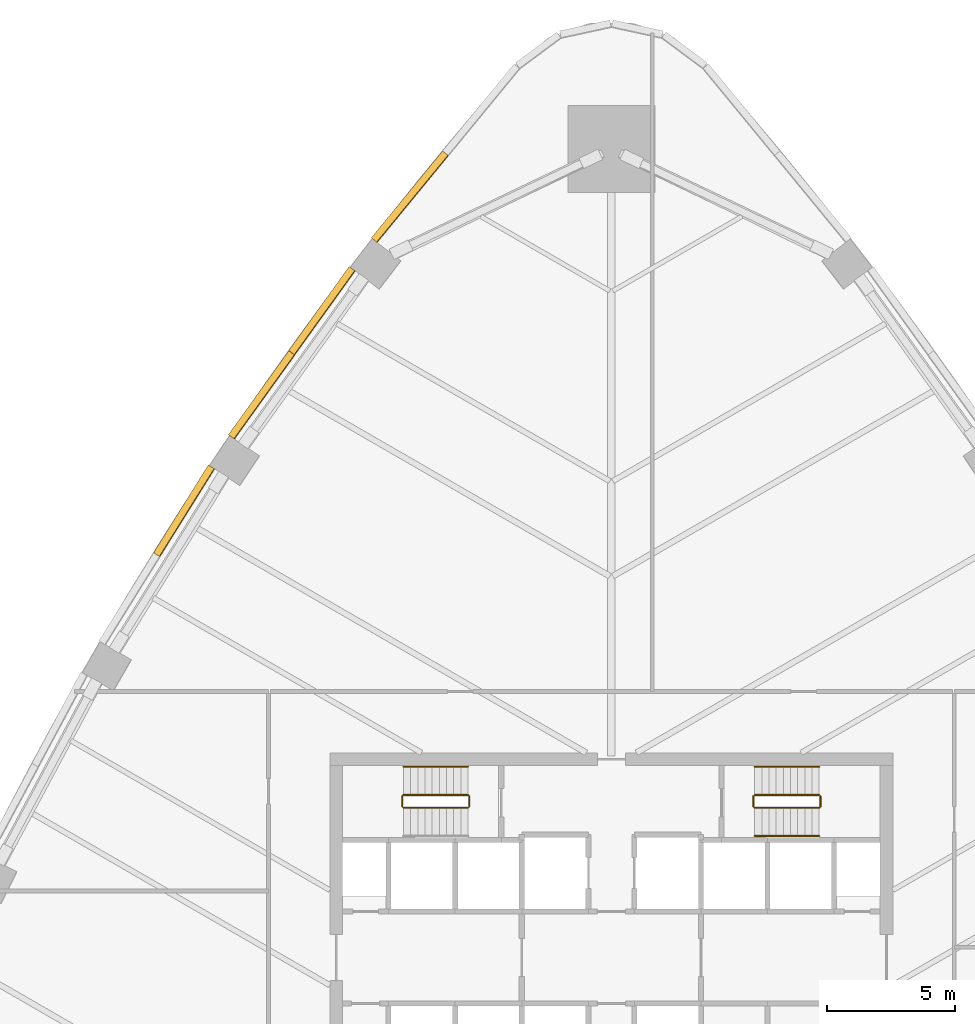
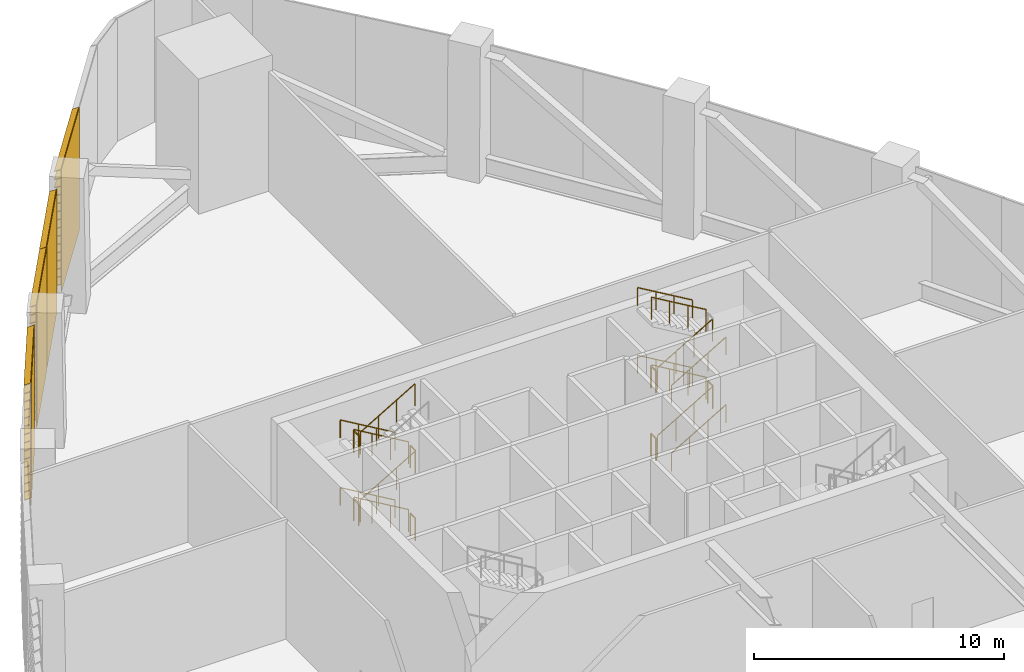
# One storey, part 13 of 15: 21 railings, 4 shading devices.
"""IFC4 building model written with IfcOpenShell, lengths in metres."""

from ifc_helpers import new_model, si_unit, direction, frame, origin, origin_2d, place, context, subcontext, project, spatial, polyline, circle, outline, extrude, material, type_object, element, save


model = new_model("IFC4")

# Units and contexts
model_context = context("Model", 3, precision=1e-05, world=origin(), true_north=direction((0.0, 1.0)))
body_context = subcontext(model_context, "Body", "Model", "MODEL_VIEW")
ifc_project = project(units=[si_unit("LENGTHUNIT", "METRE"), si_unit("AREAUNIT", "SQUARE_METRE"), si_unit("VOLUMEUNIT", "CUBIC_METRE"), si_unit("PLANEANGLEUNIT", "RADIAN"), si_unit("MASSUNIT", "GRAM", prefix="KILO")], contexts=[model_context])

# Site, building, storey
site_placement = place(None, origin())
site = spatial("IfcSite", under=ifc_project, at=site_placement, CompositionType="ELEMENT")
building_placement = place(site_placement, origin())
building = spatial("IfcBuilding", under=site, at=building_placement, Name="Sierra Prisma Convention Tower", CompositionType="ELEMENT")
storey_placement = place(building_placement, frame((0.0, 0.0, 34.199951171875)))
storey = spatial("IfcBuildingStorey", under=building, at=storey_placement, Name="L05", CompositionType="ELEMENT", Elevation=34.199951171875)

# Railings
ifc_material_1 = material(Name="Stainless steel", Category="steel")
railing_type_1 = type_object("IfcRailingType", Name="Exit stair handrail", PredefinedType="HANDRAIL", material=ifc_material_1)
railing_1_placement = place(storey_placement, frame((-5.60009765625, 7.449951171875, 0.1650390625)))
element("IfcRailing", 1, at=railing_1_placement, inside=storey, type_object=railing_type_1, Name="L05 S3 stair handrail 1", PredefinedType="HANDRAIL", context=body_context, shape_type="SweptSolid", body=[
    extrude(circle(Radius=0.02392578125, at=origin_2d()), frame((0.0, 0.0, 0.8759765625), z_axis=(-0.86152411907, 0.0, 0.507716645641), x_axis=(0.0, -1.0, 0.0)), (0.0, 0.0, 1.0), 2.925048828125),
    extrude(circle(Radius=0.02099609375, at=origin_2d()), origin(), (0.0, 0.0, 1.0), 0.851806640625),
    extrude(circle(Radius=0.02099609375, at=origin_2d()), frame((-0.840087890625, 0.0, 0.4951171875)), (0.0, 0.0, 1.0), 0.851806640625),
    extrude(circle(Radius=0.02099609375, at=origin_2d()), frame((-1.679931640625, 0.0, 0.989990234375)), (0.0, 0.0, 1.0), 0.851806640625),
    extrude(circle(Radius=0.02099609375, at=origin_2d()), frame((-2.52001953125, 0.0, 1.485107421875)), (0.0, 0.0, 1.0), 0.851806640625),
])
railing_2_placement = place(storey_placement, frame((-5.60009765625, 7.449951171875, 3.465087890625)))
element("IfcRailing", 2, at=railing_2_placement, inside=storey, type_object=railing_type_1, Name="L05 S3 stair handrail 3", PredefinedType="HANDRAIL", context=body_context, shape_type="SweptSolid", body=[
    extrude(circle(Radius=0.02392578125, at=origin_2d()), frame((0.0, 0.0, 0.8759765625), z_axis=(-0.861560626758, 0.0, 0.507654692109), x_axis=(0.0, -1.0, 0.0)), (0.0, 0.0, 1.0), 2.925048828125),
    extrude(circle(Radius=0.02099609375, at=origin_2d()), origin(), (0.0, 0.0, 1.0), 0.851806640625),
    extrude(circle(Radius=0.02099609375, at=origin_2d()), frame((-0.840087890625, 0.0, 0.494873046875)), (0.0, 0.0, 1.0), 0.851806640625),
    extrude(circle(Radius=0.02099609375, at=origin_2d()), frame((-1.679931640625, 0.0, 0.989990234375)), (0.0, 0.0, 1.0), 0.851806640625),
    extrude(circle(Radius=0.02099609375, at=origin_2d()), frame((-2.52001953125, 0.0, 1.48486328125)), (0.0, 0.0, 1.0), 0.851806640625),
])
railing_3_placement = place(storey_placement, frame((5.60009765625, 4.75, 0.1650390625)))
element("IfcRailing", 3, at=railing_3_placement, inside=storey, type_object=railing_type_1, Name="L05 S4 stair handrail 1", PredefinedType="HANDRAIL", context=body_context, shape_type="SweptSolid", body=[
    extrude(circle(Radius=0.02392578125, at=origin_2d()), frame((0.0, 0.0, 0.8759765625), z_axis=(0.86152411907, 0.0, 0.507716645641), x_axis=(0.0, 1.0, 0.0)), (0.0, 0.0, 1.0), 2.925048828125),
    extrude(circle(Radius=0.02099609375, at=origin_2d()), origin(), (0.0, 0.0, 1.0), 0.851806640625),
    extrude(circle(Radius=0.02099609375, at=origin_2d()), frame((0.840087890625, 0.0, 0.4951171875)), (0.0, 0.0, 1.0), 0.851806640625),
    extrude(circle(Radius=0.02099609375, at=origin_2d()), frame((1.679931640625, 0.0, 0.989990234375)), (0.0, 0.0, 1.0), 0.851806640625),
    extrude(circle(Radius=0.02099609375, at=origin_2d()), frame((2.52001953125, 0.0, 1.485107421875)), (0.0, 0.0, 1.0), 0.851806640625),
])
railing_4_placement = place(storey_placement, frame((8.1201171875, 7.449951171875, 1.81494140625)))
element("IfcRailing", 4, at=railing_4_placement, inside=storey, type_object=railing_type_1, Name="L05 S4 stair handrail 2", PredefinedType="HANDRAIL", context=body_context, shape_type="SweptSolid", body=[
    extrude(circle(Radius=0.02392578125, at=origin_2d()), frame((0.0, 0.0, 0.8759765625), z_axis=(-0.86152411907, 0.0, 0.507716645641), x_axis=(0.0, -1.0, 0.0)), (0.0, 0.0, 1.0), 2.925048828125),
    extrude(circle(Radius=0.02099609375, at=origin_2d()), origin(), (0.0, 0.0, 1.0), 0.851806640625),
    extrude(circle(Radius=0.02099609375, at=origin_2d()), frame((-0.840087890625, 0.0, 0.4951171875)), (0.0, 0.0, 1.0), 0.851806640625),
    extrude(circle(Radius=0.02099609375, at=origin_2d()), frame((-1.679931640625, 0.0, 0.989990234375)), (0.0, 0.0, 1.0), 0.851806640625),
    extrude(circle(Radius=0.02099609375, at=origin_2d()), frame((-2.52001953125, 0.0, 1.485107421875)), (0.0, 0.0, 1.0), 0.851806640625),
])
railing_5_placement = place(storey_placement, frame((5.60009765625, 4.75, 3.465087890625)))
element("IfcRailing", 5, at=railing_5_placement, inside=storey, type_object=railing_type_1, Name="L05 S4 stair handrail 3", PredefinedType="HANDRAIL", context=body_context, shape_type="SweptSolid", body=[
    extrude(circle(Radius=0.02392578125, at=origin_2d()), frame((0.0, 0.0, 0.8759765625), z_axis=(0.861560626758, 0.0, 0.507654692109), x_axis=(0.0, 1.0, 0.0)), (0.0, 0.0, 1.0), 2.925048828125),
    extrude(circle(Radius=0.02099609375, at=origin_2d()), origin(), (0.0, 0.0, 1.0), 0.851806640625),
    extrude(circle(Radius=0.02099609375, at=origin_2d()), frame((0.840087890625, 0.0, 0.494873046875)), (0.0, 0.0, 1.0), 0.851806640625),
    extrude(circle(Radius=0.02099609375, at=origin_2d()), frame((1.679931640625, 0.0, 0.989990234375)), (0.0, 0.0, 1.0), 0.851806640625),
    extrude(circle(Radius=0.02099609375, at=origin_2d()), frame((2.52001953125, 0.0, 1.48486328125)), (0.0, 0.0, 1.0), 0.851806640625),
])
railing_6_placement = place(storey_placement, frame((8.1201171875, 7.449951171875, 5.114990234375)))
element("IfcRailing", 6, at=railing_6_placement, inside=storey, type_object=railing_type_1, Name="L05 S4 stair handrail 4", PredefinedType="HANDRAIL", context=body_context, shape_type="SweptSolid", body=[
    extrude(circle(Radius=0.02392578125, at=origin_2d()), frame((0.0, 0.0, 0.8759765625), z_axis=(-0.86152411907, 0.0, 0.507716645641), x_axis=(0.0, -1.0, 0.0)), (0.0, 0.0, 1.0), 2.925048828125),
    extrude(circle(Radius=0.02099609375, at=origin_2d()), origin(), (0.0, 0.0, 1.0), 0.851806640625),
    extrude(circle(Radius=0.02099609375, at=origin_2d()), frame((-0.840087890625, 0.0, 0.4951171875)), (0.0, 0.0, 1.0), 0.851806640625),
    extrude(circle(Radius=0.02099609375, at=origin_2d()), frame((-1.679931640625, 0.0, 0.989990234375)), (0.0, 0.0, 1.0), 0.851806640625),
    extrude(circle(Radius=0.02099609375, at=origin_2d()), frame((-2.52001953125, 0.0, 1.485107421875)), (0.0, 0.0, 1.0), 0.851806640625),
])

# Shading devices
ifc_material_2 = material(Name="Aluminium 6063-T6 bronze anodised", Category="aluminium")
shading_device_type = type_object("IfcShadingDeviceType", Name="Louvre bay bronze", PredefinedType="USERDEFINED", material=ifc_material_2)
shading_device_1_placement = place(storey_placement, frame((-6.358642578125, 31.327392578125, 0.0), z_axis=(0.634744620987, 0.772721985017, 0.0), x_axis=(0.0, 0.0, 1.0)))
element("IfcShadingDevice", 7, at=shading_device_1_placement, inside=storey, type_object=shading_device_type, Name="Louvre L05 NW1.2", ObjectType="LOUVRE", PredefinedType="USERDEFINED", context=body_context, shape_type="SweptSolid", body=[
    extrude(outline(polyline([(0.0, 0.0), (6.0, 0.0), (6.0, -0.03000944067714053), (5.97998046875, -0.03000944067714053), (5.860107421875, -0.2999057539430321), (5.830078125, -0.2999057539430321), (5.949951171875, -0.03000944067714053), (5.60009765625, -0.03000944067714053), (5.580078125, -0.03000944067714053), (5.4599609375, -0.2999057539430321), (5.429931640625, -0.2999057539430321), (5.550048828125, -0.03000944067714053), (5.199951171875, -0.03000944067714053), (5.179931640625, -0.03000944067714053), (5.06005859375, -0.2999057539430321), (5.030029296875, -0.2999057539430321), (5.150146484375, -0.03000944067714053), (4.800048828125, -0.03000944067714053), (4.780029296875, -0.03000944067714053), (4.66015625, -0.2999057539430321), (4.630126953125, -0.2999057539430321), (4.75, -0.03000944067714053), (4.400146484375, -0.03000944067714053), (4.380126953125, -0.03000944067714053), (4.260009765625, -0.2999057539430321), (4.22998046875, -0.2999057539430321), (4.35009765625, -0.03000944067714053), (4.0, -0.03000944067714053), (3.97998046875, -0.03000944067714053), (3.860107421875, -0.2999057539430321), (3.830078125, -0.2999057539430321), (3.949951171875, -0.03000944067714053), (3.60009765625, -0.03000944067714053), (3.580078125, -0.03000944067714053), (3.4599609375, -0.2999057539430321), (3.429931640625, -0.2999057539430321), (3.550048828125, -0.03000944067714053), (3.199951171875, -0.03000944067714053), (3.179931640625, -0.03000944067714053), (3.06005859375, -0.2999057539430321), (3.030029296875, -0.2999057539430321), (3.150146484375, -0.03000944067714053), (2.800048828125, -0.03000944067714053), (2.780029296875, -0.03000944067714053), (2.66015625, -0.2999057539430321), (2.630126953125, -0.2999057539430321), (2.75, -0.03000944067714053), (2.400146484375, -0.03000944067714053), (2.380126953125, -0.03000944067714053), (2.260009765625, -0.2999057539430321), (2.22998046875, -0.2999057539430321), (2.35009765625, -0.03000944067714053), (2.0, -0.03000944067714053), (1.97998046875, -0.03000944067714053), (1.860107421875, -0.2999057539430321), (1.830078125, -0.2999057539430321), (1.949951171875, -0.03000944067714053), (1.60009765625, -0.03000944067714053), (1.580078125, -0.03000944067714053), (1.4599609375, -0.2999057539430321), (1.429931640625, -0.2999057539430321), (1.550048828125, -0.03000944067714053), (1.199951171875, -0.03000944067714053), (1.179931640625, -0.03000944067714053), (1.06005859375, -0.2999057539430321), (1.030029296875, -0.2999057539430321), (1.150146484375, -0.03000944067714053), (0.800048828125, -0.03000944067714053), (0.780029296875, -0.03000944067714053), (0.66015625, -0.2999057539430321), (0.630126953125, -0.2999057539430321), (0.75, -0.03000944067714053), (0.400146484375, -0.03000944067714053), (0.380126953125, -0.03000944067714053), (0.260009765625, -0.2999057539430321), (0.22998046875, -0.2999057539430321), (0.35009765625, -0.03000944067714053), (0.0, -0.03000944067714053), (0.0, 0.0)])), origin(), (0.0, 0.0, -1.0), 4.394287109375),
])
shading_device_2_placement = place(storey_placement, frame((-10.001220703125, 26.822998046875, 0.0), z_axis=(0.583930839963, 0.811803408554, 0.0), x_axis=(0.0, 0.0, 1.0)))
element("IfcShadingDevice", 8, at=shading_device_2_placement, inside=storey, type_object=shading_device_type, Name="Louvre L05 NW2.1", ObjectType="LOUVRE", PredefinedType="USERDEFINED", context=body_context, shape_type="SweptSolid", body=[
    extrude(outline(polyline([(0.0, 0.0), (6.0, 0.0), (6.0, -0.03008382845037819), (5.97998046875, -0.03008382845037819), (5.860107421875, -0.30001421240002296), (5.830078125, -0.30001421240002296), (5.949951171875, -0.03008382845037819), (5.60009765625, -0.03008382845037819), (5.580078125, -0.03008382845037819), (5.4599609375, -0.30001421240002296), (5.429931640625, -0.30001421240002296), (5.550048828125, -0.03008382845037819), (5.199951171875, -0.03008382845037819), (5.179931640625, -0.03008382845037819), (5.06005859375, -0.30001421240002296), (5.030029296875, -0.30001421240002296), (5.150146484375, -0.03008382845037819), (4.800048828125, -0.03008382845037819), (4.780029296875, -0.03008382845037819), (4.66015625, -0.30001421240002296), (4.630126953125, -0.30001421240002296), (4.75, -0.03008382845037819), (4.400146484375, -0.03008382845037819), (4.380126953125, -0.03008382845037819), (4.260009765625, -0.30001421240002296), (4.22998046875, -0.30001421240002296), (4.35009765625, -0.03008382845037819), (4.0, -0.03008382845037819), (3.97998046875, -0.03008382845037819), (3.860107421875, -0.30001421240002296), (3.830078125, -0.30001421240002296), (3.949951171875, -0.03008382845037819), (3.60009765625, -0.03008382845037819), (3.580078125, -0.03008382845037819), (3.4599609375, -0.30001421240002296), (3.429931640625, -0.30001421240002296), (3.550048828125, -0.03008382845037819), (3.199951171875, -0.03008382845037819), (3.179931640625, -0.03008382845037819), (3.06005859375, -0.30001421240002296), (3.030029296875, -0.30001421240002296), (3.150146484375, -0.03008382845037819), (2.800048828125, -0.03008382845037819), (2.780029296875, -0.03008382845037819), (2.66015625, -0.30001421240002296), (2.630126953125, -0.30001421240002296), (2.75, -0.03008382845037819), (2.400146484375, -0.03008382845037819), (2.380126953125, -0.03008382845037819), (2.260009765625, -0.30001421240002296), (2.22998046875, -0.30001421240002296), (2.35009765625, -0.03008382845037819), (2.0, -0.03008382845037819), (1.97998046875, -0.03008382845037819), (1.860107421875, -0.30001421240002296), (1.830078125, -0.30001421240002296), (1.949951171875, -0.03008382845037819), (1.60009765625, -0.03008382845037819), (1.580078125, -0.03008382845037819), (1.4599609375, -0.30001421240002296), (1.429931640625, -0.30001421240002296), (1.550048828125, -0.03008382845037819), (1.199951171875, -0.03008382845037819), (1.179931640625, -0.03008382845037819), (1.06005859375, -0.30001421240002296), (1.030029296875, -0.30001421240002296), (1.150146484375, -0.03008382845037819), (0.800048828125, -0.03008382845037819), (0.780029296875, -0.03008382845037819), (0.66015625, -0.30001421240002296), (0.630126953125, -0.30001421240002296), (0.75, -0.03008382845037819), (0.400146484375, -0.03008382845037819), (0.380126953125, -0.03008382845037819), (0.260009765625, -0.30001421240002296), (0.22998046875, -0.30001421240002296), (0.35009765625, -0.03008382845037819), (0.0, -0.03008382845037819), (0.0, 0.0)])), origin(), (0.0, 0.0, -1.0), 4.044189453125),
])
shading_device_3_placement = place(storey_placement, frame((-12.3583984375, 23.536865234375, 0.0), z_axis=(0.583690973904, 0.811975890642, 0.0), x_axis=(0.0, 0.0, 1.0)))
element("IfcShadingDevice", 9, at=shading_device_3_placement, inside=storey, type_object=shading_device_type, Name="Louvre L05 NW2.2", ObjectType="LOUVRE", PredefinedType="USERDEFINED", context=body_context, shape_type="SweptSolid", body=[
    extrude(outline(polyline([(0.0, 0.0), (6.0, 0.0), (6.0, -0.030083823043270133), (5.97998046875, -0.030083823043270133), (5.860107421875, -0.29987174711314607), (5.830078125, -0.29987174711314607), (5.949951171875, -0.030083823043270133), (5.60009765625, -0.030083823043270133), (5.580078125, -0.030083823043270133), (5.4599609375, -0.29987174711314607), (5.429931640625, -0.29987174711314607), (5.550048828125, -0.030083823043270133), (5.199951171875, -0.030083823043270133), (5.179931640625, -0.030083823043270133), (5.06005859375, -0.29987174711314607), (5.030029296875, -0.29987174711314607), (5.150146484375, -0.030083823043270133), (4.800048828125, -0.030083823043270133), (4.780029296875, -0.030083823043270133), (4.66015625, -0.29987174711314607), (4.630126953125, -0.29987174711314607), (4.75, -0.030083823043270133), (4.400146484375, -0.030083823043270133), (4.380126953125, -0.030083823043270133), (4.260009765625, -0.29987174711314607), (4.22998046875, -0.29987174711314607), (4.35009765625, -0.030083823043270133), (4.0, -0.030083823043270133), (3.97998046875, -0.030083823043270133), (3.860107421875, -0.29987174711314607), (3.830078125, -0.29987174711314607), (3.949951171875, -0.030083823043270133), (3.60009765625, -0.030083823043270133), (3.580078125, -0.030083823043270133), (3.4599609375, -0.29987174711314607), (3.429931640625, -0.29987174711314607), (3.550048828125, -0.030083823043270133), (3.199951171875, -0.030083823043270133), (3.179931640625, -0.030083823043270133), (3.06005859375, -0.29987174711314607), (3.030029296875, -0.29987174711314607), (3.150146484375, -0.030083823043270133), (2.800048828125, -0.030083823043270133), (2.780029296875, -0.030083823043270133), (2.66015625, -0.29987174711314607), (2.630126953125, -0.29987174711314607), (2.75, -0.030083823043270133), (2.400146484375, -0.030083823043270133), (2.380126953125, -0.030083823043270133), (2.260009765625, -0.29987174711314607), (2.22998046875, -0.29987174711314607), (2.35009765625, -0.030083823043270133), (2.0, -0.030083823043270133), (1.97998046875, -0.030083823043270133), (1.860107421875, -0.29987174711314607), (1.830078125, -0.29987174711314607), (1.949951171875, -0.030083823043270133), (1.60009765625, -0.030083823043270133), (1.580078125, -0.030083823043270133), (1.4599609375, -0.29987174711314607), (1.429931640625, -0.29987174711314607), (1.550048828125, -0.030083823043270133), (1.199951171875, -0.030083823043270133), (1.179931640625, -0.030083823043270133), (1.06005859375, -0.29987174711314607), (1.030029296875, -0.29987174711314607), (1.150146484375, -0.030083823043270133), (0.800048828125, -0.030083823043270133), (0.780029296875, -0.030083823043270133), (0.66015625, -0.29987174711314607), (0.630126953125, -0.29987174711314607), (0.75, -0.030083823043270133), (0.400146484375, -0.030083823043270133), (0.380126953125, -0.030083823043270133), (0.260009765625, -0.29987174711314607), (0.22998046875, -0.29987174711314607), (0.35009765625, -0.030083823043270133), (0.0, -0.030083823043270133), (0.0, 0.0)])), origin(), (0.0, 0.0, -1.0), 4.044189453125),
])
shading_device_4_placement = place(storey_placement, frame((-15.4931640625, 19.08740234375, 0.0), z_axis=(0.529244404997, 0.848469421829, 0.0), x_axis=(0.0, 0.0, 1.0)))
element("IfcShadingDevice", 10, at=shading_device_4_placement, inside=storey, type_object=shading_device_type, Name="Louvre L05 NW3.1", ObjectType="LOUVRE", PredefinedType="USERDEFINED", context=body_context, shape_type="SweptSolid", body=[
    extrude(outline(polyline([(0.0, 0.0), (6.0, 0.0), (6.0, -0.029941822801526796), (5.97998046875, -0.029941822801526796), (5.860107421875, -0.2999104555202704), (5.830078125, -0.2999104555202704), (5.949951171875, -0.029941822801526796), (5.60009765625, -0.029941822801526796), (5.580078125, -0.029941822801526796), (5.4599609375, -0.2999104555202704), (5.429931640625, -0.2999104555202704), (5.550048828125, -0.029941822801526796), (5.199951171875, -0.029941822801526796), (5.179931640625, -0.029941822801526796), (5.06005859375, -0.2999104555202704), (5.030029296875, -0.2999104555202704), (5.150146484375, -0.029941822801526796), (4.800048828125, -0.029941822801526796), (4.780029296875, -0.029941822801526796), (4.66015625, -0.2999104555202704), (4.630126953125, -0.2999104555202704), (4.75, -0.029941822801526796), (4.400146484375, -0.029941822801526796), (4.380126953125, -0.029941822801526796), (4.260009765625, -0.2999104555202704), (4.22998046875, -0.2999104555202704), (4.35009765625, -0.029941822801526796), (4.0, -0.029941822801526796), (3.97998046875, -0.029941822801526796), (3.860107421875, -0.2999104555202704), (3.830078125, -0.2999104555202704), (3.949951171875, -0.029941822801526796), (3.60009765625, -0.029941822801526796), (3.580078125, -0.029941822801526796), (3.4599609375, -0.2999104555202704), (3.429931640625, -0.2999104555202704), (3.550048828125, -0.029941822801526796), (3.199951171875, -0.029941822801526796), (3.179931640625, -0.029941822801526796), (3.06005859375, -0.2999104555202704), (3.030029296875, -0.2999104555202704), (3.150146484375, -0.029941822801526796), (2.800048828125, -0.029941822801526796), (2.780029296875, -0.029941822801526796), (2.66015625, -0.2999104555202704), (2.630126953125, -0.2999104555202704), (2.75, -0.029941822801526796), (2.400146484375, -0.029941822801526796), (2.380126953125, -0.029941822801526796), (2.260009765625, -0.2999104555202704), (2.22998046875, -0.2999104555202704), (2.35009765625, -0.029941822801526796), (2.0, -0.029941822801526796), (1.97998046875, -0.029941822801526796), (1.860107421875, -0.2999104555202704), (1.830078125, -0.2999104555202704), (1.949951171875, -0.029941822801526796), (1.60009765625, -0.029941822801526796), (1.580078125, -0.029941822801526796), (1.4599609375, -0.2999104555202704), (1.429931640625, -0.2999104555202704), (1.550048828125, -0.029941822801526796), (1.199951171875, -0.029941822801526796), (1.179931640625, -0.029941822801526796), (1.06005859375, -0.2999104555202704), (1.030029296875, -0.2999104555202704), (1.150146484375, -0.029941822801526796), (0.800048828125, -0.029941822801526796), (0.780029296875, -0.029941822801526796), (0.66015625, -0.2999104555202704), (0.630126953125, -0.2999104555202704), (0.75, -0.029941822801526796), (0.400146484375, -0.029941822801526796), (0.380126953125, -0.029941822801526796), (0.260009765625, -0.2999104555202704), (0.22998046875, -0.2999104555202704), (0.35009765625, -0.029941822801526796), (0.0, -0.029941822801526796), (0.0, 0.0)])), origin(), (0.0, 0.0, -1.0), 4.044189453125),
])

# Railings
ifc_material_3 = material(Name="Stainless steel", Category="steel")
railing_type_2 = type_object("IfcRailingType", Name="Stair guard 1100", PredefinedType="GUARDRAIL", material=ifc_material_3)
railing_7_placement = place(storey_placement, frame((-5.60009765625, 6.35009765625, 0.1650390625)))
element("IfcRailing", 11, at=railing_7_placement, inside=storey, type_object=railing_type_2, Name="L05 S3 stair guard 1", PredefinedType="GUARDRAIL", context=body_context, shape_type="SweptSolid", body=[
    extrude(circle(Radius=0.02392578125, at=origin_2d()), frame((0.0, 0.0, 1.076171875), z_axis=(-0.86152411907, 0.0, 0.507716645641), x_axis=(0.0, -1.0, 0.0)), (0.0, 0.0, 1.0), 2.925048828125),
    extrude(circle(Radius=0.02099609375, at=origin_2d()), origin(), (0.0, 0.0, 1.0), 1.052001953125),
    extrude(circle(Radius=0.02099609375, at=origin_2d()), frame((-0.840087890625, 0.0, 0.4951171875)), (0.0, 0.0, 1.0), 1.052001953125),
    extrude(circle(Radius=0.02099609375, at=origin_2d()), frame((-1.679931640625, 0.0, 0.989990234375)), (0.0, 0.0, 1.0), 1.052001953125),
    extrude(circle(Radius=0.02099609375, at=origin_2d()), frame((-2.52001953125, 0.0, 1.485107421875)), (0.0, 0.0, 1.0), 1.052001953125),
])
railing_8_placement = place(storey_placement, frame((-8.169921875, 6.300048828125, 1.650146484375)))
element("IfcRailing", 12, at=railing_8_placement, inside=storey, type_object=railing_type_2, Name="L05 S3 stair guard 2", PredefinedType="GUARDRAIL", context=body_context, shape_type="SweptSolid", body=[
    extrude(circle(Radius=0.02392578125, at=origin_2d()), frame((0.0, 0.0, 1.076171875), z_axis=(0.0, -1.0, 0.0), x_axis=(1.0, 0.0, 0.0)), (0.0, 0.0, 1.0), 0.400146484375),
    extrude(circle(Radius=0.02099609375, at=origin_2d()), origin(), (0.0, 0.0, 1.0), 1.052001953125),
    extrude(circle(Radius=0.02099609375, at=origin_2d()), frame((0.0, -0.400146484375, 0.0)), (0.0, 0.0, 1.0), 1.052001953125),
])
railing_9_placement = place(storey_placement, frame((-8.1201171875, 5.85009765625, 1.81494140625)))
element("IfcRailing", 13, at=railing_9_placement, inside=storey, type_object=railing_type_2, Name="L05 S3 stair guard 3", PredefinedType="GUARDRAIL", context=body_context, shape_type="SweptSolid", body=[
    extrude(circle(Radius=0.02392578125, at=origin_2d()), frame((0.0, 0.0, 1.076171875), z_axis=(0.86152411907, 0.0, 0.507716645641), x_axis=(0.0, 1.0, 0.0)), (0.0, 0.0, 1.0), 2.925048828125),
    extrude(circle(Radius=0.02099609375, at=origin_2d()), origin(), (0.0, 0.0, 1.0), 1.052001953125),
    extrude(circle(Radius=0.02099609375, at=origin_2d()), frame((0.840087890625, 0.0, 0.4951171875)), (0.0, 0.0, 1.0), 1.052001953125),
    extrude(circle(Radius=0.02099609375, at=origin_2d()), frame((1.679931640625, 0.0, 0.989990234375)), (0.0, 0.0, 1.0), 1.052001953125),
    extrude(circle(Radius=0.02099609375, at=origin_2d()), frame((2.52001953125, 0.0, 1.485107421875)), (0.0, 0.0, 1.0), 1.052001953125),
])
railing_10_placement = place(storey_placement, frame((-5.550048828125, 6.300048828125, 3.300048828125)))
element("IfcRailing", 14, at=railing_10_placement, inside=storey, type_object=railing_type_2, Name="L05 S3 stair guard 4", PredefinedType="GUARDRAIL", context=body_context, shape_type="SweptSolid", body=[
    extrude(circle(Radius=0.02392578125, at=origin_2d()), frame((0.0, 0.0, 1.076171875), z_axis=(0.0, -1.0, 0.0), x_axis=(1.0, 0.0, 0.0)), (0.0, 0.0, 1.0), 0.400146484375),
    extrude(circle(Radius=0.02099609375, at=origin_2d()), origin(), (0.0, 0.0, 1.0), 1.052001953125),
    extrude(circle(Radius=0.02099609375, at=origin_2d()), frame((0.0, -0.400146484375, 0.0)), (0.0, 0.0, 1.0), 1.052001953125),
])
railing_11_placement = place(storey_placement, frame((-5.60009765625, 6.35009765625, 3.465087890625)))
element("IfcRailing", 15, at=railing_11_placement, inside=storey, type_object=railing_type_2, Name="L05 S3 stair guard 5", PredefinedType="GUARDRAIL", context=body_context, shape_type="SweptSolid", body=[
    extrude(circle(Radius=0.02392578125, at=origin_2d()), frame((0.0, 0.0, 1.076171875), z_axis=(-0.861560626758, 0.0, 0.507654692109), x_axis=(0.0, -1.0, 0.0)), (0.0, 0.0, 1.0), 2.925048828125),
    extrude(circle(Radius=0.02099609375, at=origin_2d()), origin(), (0.0, 0.0, 1.0), 1.052001953125),
    extrude(circle(Radius=0.02099609375, at=origin_2d()), frame((-0.840087890625, 0.0, 0.494873046875)), (0.0, 0.0, 1.0), 1.052001953125),
    extrude(circle(Radius=0.02099609375, at=origin_2d()), frame((-1.679931640625, 0.0, 0.989990234375)), (0.0, 0.0, 1.0), 1.052001953125),
    extrude(circle(Radius=0.02099609375, at=origin_2d()), frame((-2.52001953125, 0.0, 1.48486328125)), (0.0, 0.0, 1.0), 1.052001953125),
])
railing_12_placement = place(storey_placement, frame((-8.169921875, 6.300048828125, 4.949951171875)))
element("IfcRailing", 16, at=railing_12_placement, inside=storey, type_object=railing_type_2, Name="L05 S3 stair guard 6", PredefinedType="GUARDRAIL", context=body_context, shape_type="SweptSolid", body=[
    extrude(circle(Radius=0.02392578125, at=origin_2d()), frame((0.0, 0.0, 1.076171875), z_axis=(0.0, -1.0, 0.0), x_axis=(1.0, 0.0, 0.0)), (0.0, 0.0, 1.0), 0.400146484375),
    extrude(circle(Radius=0.02099609375, at=origin_2d()), origin(), (0.0, 0.0, 1.0), 1.052001953125),
    extrude(circle(Radius=0.02099609375, at=origin_2d()), frame((0.0, -0.400146484375, 0.0)), (0.0, 0.0, 1.0), 1.052001953125),
])
railing_13_placement = place(storey_placement, frame((-8.1201171875, 5.85009765625, 5.114990234375)))
element("IfcRailing", 17, at=railing_13_placement, inside=storey, type_object=railing_type_2, Name="L05 S3 stair guard 7", PredefinedType="GUARDRAIL", context=body_context, shape_type="SweptSolid", body=[
    extrude(circle(Radius=0.02392578125, at=origin_2d()), frame((0.0, 0.0, 1.076171875), z_axis=(0.86152411907, 0.0, 0.507716645641), x_axis=(0.0, 1.0, 0.0)), (0.0, 0.0, 1.0), 2.925048828125),
    extrude(circle(Radius=0.02099609375, at=origin_2d()), origin(), (0.0, 0.0, 1.0), 1.052001953125),
    extrude(circle(Radius=0.02099609375, at=origin_2d()), frame((0.840087890625, 0.0, 0.4951171875)), (0.0, 0.0, 1.0), 1.052001953125),
    extrude(circle(Radius=0.02099609375, at=origin_2d()), frame((1.679931640625, 0.0, 0.989990234375)), (0.0, 0.0, 1.0), 1.052001953125),
    extrude(circle(Radius=0.02099609375, at=origin_2d()), frame((2.52001953125, 0.0, 1.485107421875)), (0.0, 0.0, 1.0), 1.052001953125),
])
railing_14_placement = place(storey_placement, frame((-5.550048828125, 6.300048828125, 0.0)))
element("IfcRailing", 18, at=railing_14_placement, inside=storey, type_object=railing_type_2, Name="L05 S3 stair guard 8", PredefinedType="GUARDRAIL", context=body_context, shape_type="SweptSolid", body=[
    extrude(circle(Radius=0.02392578125, at=origin_2d()), frame((0.0, 0.0, 1.076171875), z_axis=(0.0, -1.0, 0.0), x_axis=(1.0, 0.0, 0.0)), (0.0, 0.0, 1.0), 0.400146484375),
    extrude(circle(Radius=0.02099609375, at=origin_2d()), origin(), (0.0, 0.0, 1.0), 1.052001953125),
    extrude(circle(Radius=0.02099609375, at=origin_2d()), frame((0.0, -0.400146484375, 0.0)), (0.0, 0.0, 1.0), 1.052001953125),
])
railing_15_placement = place(storey_placement, frame((5.60009765625, 5.85009765625, 0.1650390625)))
element("IfcRailing", 19, at=railing_15_placement, inside=storey, type_object=railing_type_2, Name="L05 S4 stair guard 1", PredefinedType="GUARDRAIL", context=body_context, shape_type="SweptSolid", body=[
    extrude(circle(Radius=0.02392578125, at=origin_2d()), frame((0.0, 0.0, 1.076171875), z_axis=(0.86152411907, 0.0, 0.507716645641), x_axis=(0.0, 1.0, 0.0)), (0.0, 0.0, 1.0), 2.925048828125),
    extrude(circle(Radius=0.02099609375, at=origin_2d()), origin(), (0.0, 0.0, 1.0), 1.052001953125),
    extrude(circle(Radius=0.02099609375, at=origin_2d()), frame((0.840087890625, 0.0, 0.4951171875)), (0.0, 0.0, 1.0), 1.052001953125),
    extrude(circle(Radius=0.02099609375, at=origin_2d()), frame((1.679931640625, 0.0, 0.989990234375)), (0.0, 0.0, 1.0), 1.052001953125),
    extrude(circle(Radius=0.02099609375, at=origin_2d()), frame((2.52001953125, 0.0, 1.485107421875)), (0.0, 0.0, 1.0), 1.052001953125),
])
railing_16_placement = place(storey_placement, frame((8.169921875, 5.89990234375, 1.650146484375)))
element("IfcRailing", 20, at=railing_16_placement, inside=storey, type_object=railing_type_2, Name="L05 S4 stair guard 2", PredefinedType="GUARDRAIL", context=body_context, shape_type="SweptSolid", body=[
    extrude(circle(Radius=0.02392578125, at=origin_2d()), frame((0.0, 0.0, 1.076171875), z_axis=(0.0, 1.0, 0.0), x_axis=(-1.0, 0.0, 0.0)), (0.0, 0.0, 1.0), 0.400146484375),
    extrude(circle(Radius=0.02099609375, at=origin_2d()), origin(), (0.0, 0.0, 1.0), 1.052001953125),
    extrude(circle(Radius=0.02099609375, at=origin_2d()), frame((0.0, 0.400146484375, 0.0)), (0.0, 0.0, 1.0), 1.052001953125),
])
railing_17_placement = place(storey_placement, frame((8.1201171875, 6.35009765625, 1.81494140625)))
element("IfcRailing", 21, at=railing_17_placement, inside=storey, type_object=railing_type_2, Name="L05 S4 stair guard 3", PredefinedType="GUARDRAIL", context=body_context, shape_type="SweptSolid", body=[
    extrude(circle(Radius=0.02392578125, at=origin_2d()), frame((0.0, 0.0, 1.076171875), z_axis=(-0.86152411907, 0.0, 0.507716645641), x_axis=(0.0, -1.0, 0.0)), (0.0, 0.0, 1.0), 2.925048828125),
    extrude(circle(Radius=0.02099609375, at=origin_2d()), origin(), (0.0, 0.0, 1.0), 1.052001953125),
    extrude(circle(Radius=0.02099609375, at=origin_2d()), frame((-0.840087890625, 0.0, 0.4951171875)), (0.0, 0.0, 1.0), 1.052001953125),
    extrude(circle(Radius=0.02099609375, at=origin_2d()), frame((-1.679931640625, 0.0, 0.989990234375)), (0.0, 0.0, 1.0), 1.052001953125),
    extrude(circle(Radius=0.02099609375, at=origin_2d()), frame((-2.52001953125, 0.0, 1.485107421875)), (0.0, 0.0, 1.0), 1.052001953125),
])
railing_18_placement = place(storey_placement, frame((5.550048828125, 5.89990234375, 3.300048828125)))
element("IfcRailing", 22, at=railing_18_placement, inside=storey, type_object=railing_type_2, Name="L05 S4 stair guard 4", PredefinedType="GUARDRAIL", context=body_context, shape_type="SweptSolid", body=[
    extrude(circle(Radius=0.02392578125, at=origin_2d()), frame((0.0, 0.0, 1.076171875), z_axis=(0.0, 1.0, 0.0), x_axis=(-1.0, 0.0, 0.0)), (0.0, 0.0, 1.0), 0.400146484375),
    extrude(circle(Radius=0.02099609375, at=origin_2d()), origin(), (0.0, 0.0, 1.0), 1.052001953125),
    extrude(circle(Radius=0.02099609375, at=origin_2d()), frame((0.0, 0.400146484375, 0.0)), (0.0, 0.0, 1.0), 1.052001953125),
])
railing_19_placement = place(storey_placement, frame((5.60009765625, 5.85009765625, 3.465087890625)))
element("IfcRailing", 23, at=railing_19_placement, inside=storey, type_object=railing_type_2, Name="L05 S4 stair guard 5", PredefinedType="GUARDRAIL", context=body_context, shape_type="SweptSolid", body=[
    extrude(circle(Radius=0.02392578125, at=origin_2d()), frame((0.0, 0.0, 1.076171875), z_axis=(0.861560626758, 0.0, 0.507654692109), x_axis=(0.0, 1.0, 0.0)), (0.0, 0.0, 1.0), 2.925048828125),
    extrude(circle(Radius=0.02099609375, at=origin_2d()), origin(), (0.0, 0.0, 1.0), 1.052001953125),
    extrude(circle(Radius=0.02099609375, at=origin_2d()), frame((0.840087890625, 0.0, 0.494873046875)), (0.0, 0.0, 1.0), 1.052001953125),
    extrude(circle(Radius=0.02099609375, at=origin_2d()), frame((1.679931640625, 0.0, 0.989990234375)), (0.0, 0.0, 1.0), 1.052001953125),
    extrude(circle(Radius=0.02099609375, at=origin_2d()), frame((2.52001953125, 0.0, 1.48486328125)), (0.0, 0.0, 1.0), 1.052001953125),
])
railing_20_placement = place(storey_placement, frame((8.1201171875, 6.35009765625, 5.114990234375)))
element("IfcRailing", 24, at=railing_20_placement, inside=storey, type_object=railing_type_2, Name="L05 S4 stair guard 7", PredefinedType="GUARDRAIL", context=body_context, shape_type="SweptSolid", body=[
    extrude(circle(Radius=0.02392578125, at=origin_2d()), frame((0.0, 0.0, 1.076171875), z_axis=(-0.86152411907, 0.0, 0.507716645641), x_axis=(0.0, -1.0, 0.0)), (0.0, 0.0, 1.0), 2.925048828125),
    extrude(circle(Radius=0.02099609375, at=origin_2d()), origin(), (0.0, 0.0, 1.0), 1.052001953125),
    extrude(circle(Radius=0.02099609375, at=origin_2d()), frame((-0.840087890625, 0.0, 0.4951171875)), (0.0, 0.0, 1.0), 1.052001953125),
    extrude(circle(Radius=0.02099609375, at=origin_2d()), frame((-1.679931640625, 0.0, 0.989990234375)), (0.0, 0.0, 1.0), 1.052001953125),
    extrude(circle(Radius=0.02099609375, at=origin_2d()), frame((-2.52001953125, 0.0, 1.485107421875)), (0.0, 0.0, 1.0), 1.052001953125),
])
railing_21_placement = place(storey_placement, frame((5.550048828125, 5.89990234375, 0.0)))
element("IfcRailing", 25, at=railing_21_placement, inside=storey, type_object=railing_type_2, Name="L05 S4 stair guard 8", PredefinedType="GUARDRAIL", context=body_context, shape_type="SweptSolid", body=[
    extrude(circle(Radius=0.02392578125, at=origin_2d()), frame((0.0, 0.0, 1.076171875), z_axis=(0.0, 1.0, 0.0), x_axis=(-1.0, 0.0, 0.0)), (0.0, 0.0, 1.0), 0.400146484375),
    extrude(circle(Radius=0.02099609375, at=origin_2d()), origin(), (0.0, 0.0, 1.0), 1.052001953125),
    extrude(circle(Radius=0.02099609375, at=origin_2d()), frame((0.0, 0.400146484375, 0.0)), (0.0, 0.0, 1.0), 1.052001953125),
])

save(model, "model.ifc")
